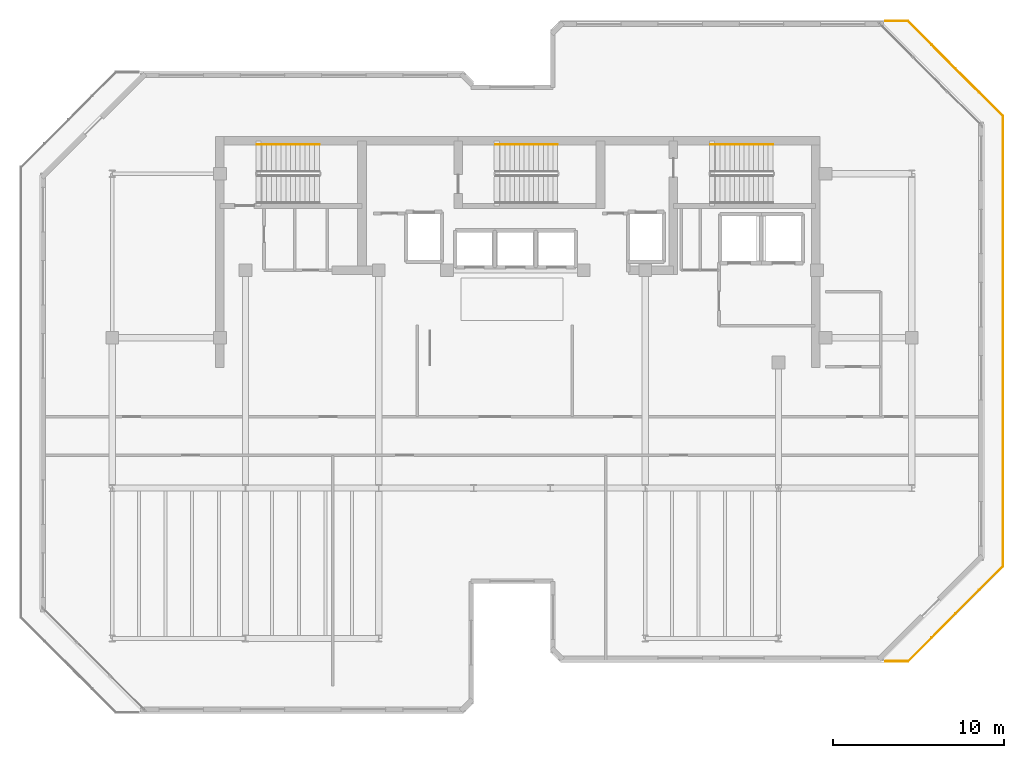
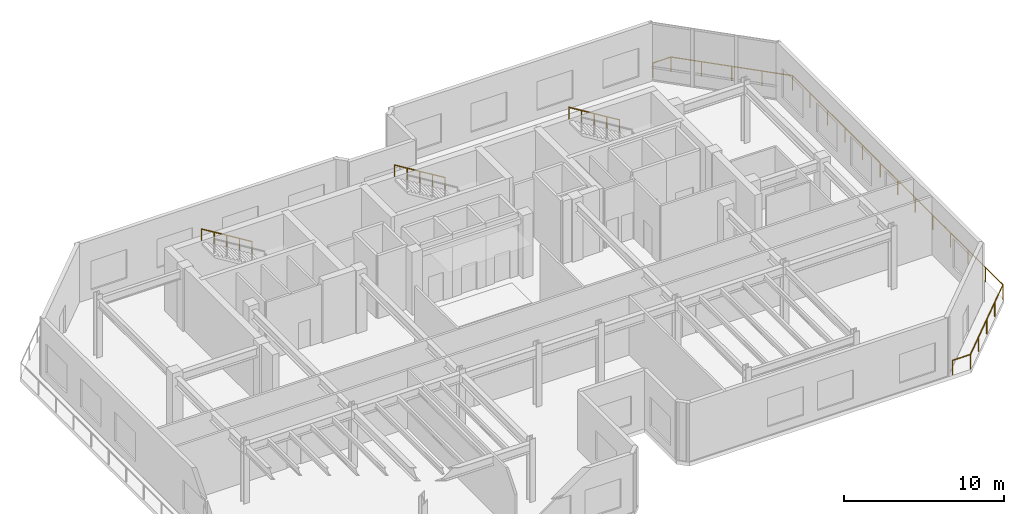
# One storey, part 12 of 12: 4 railings.
"""IFC4 building model written with IfcOpenShell, lengths in metres."""

from ifc_helpers import new_model, si_unit, direction, frame, origin, origin_2d, place, context, subcontext, project, spatial, circle, extrude, material, type_object, element, save


model = new_model("IFC4")

# Units and contexts
model_context = context("Model", 3, precision=1e-05, world=origin(), true_north=direction((0.0, 1.0)))
body_context = subcontext(model_context, "Body", "Model", "MODEL_VIEW")
ifc_project = project(units=[si_unit("LENGTHUNIT", "METRE"), si_unit("AREAUNIT", "SQUARE_METRE"), si_unit("VOLUMEUNIT", "CUBIC_METRE"), si_unit("PLANEANGLEUNIT", "RADIAN"), si_unit("MASSUNIT", "GRAM", prefix="KILO")], contexts=[model_context])

# Site, building, storey
site_placement = place(None, origin())
site = spatial("IfcSite", under=ifc_project, at=site_placement, CompositionType="ELEMENT")
building_placement = place(site_placement, origin())
building = spatial("IfcBuilding", under=site, at=building_placement, Name="Kestravale Grand Hotel", CompositionType="ELEMENT")
storey_placement = place(building_placement, frame((0.0, 0.0, 306.60009765625)))
storey = spatial("IfcBuildingStorey", under=building, at=storey_placement, Name="L76", CompositionType="ELEMENT", Elevation=306.60009765625)

# Railings
ifc_material_1 = material(Name="Champagne-bronze stainless steel and laminated glass guard", Category="steel")
railing_type_1 = type_object("IfcRailingType", Name="RL-EXT-1100", PredefinedType="GUARDRAIL", material=ifc_material_1)
railing_1_placement = place(storey_placement, frame((60.87109375, 47.340087890625, 0.0)))
element("IfcRailing", 1, at=railing_1_placement, inside=storey, type_object=railing_type_1, Name="L76 outdoor terrace guard 1", PredefinedType="GUARDRAIL", context=body_context, shape_type="SweptSolid", body=[
    extrude(circle(Radius=0.02392578125, at=origin_2d()), frame((0.0, 0.0, 1.09619140625), z_axis=(1.0, 0.0, 0.0), x_axis=(0.0, 1.0, 0.0)), (0.0, 0.0, 1.0), 1.303955078125),
    extrude(circle(Radius=0.02392578125, at=origin_2d()), frame((1.303955078125, 0.0, 1.09619140625), z_axis=(0.707106781187, -0.707106781187, 0.0), x_axis=(0.707106781187, 0.707106781187, 0.0)), (0.0, 0.0, 1.0), 7.8701171875),
    extrude(circle(Radius=0.02392578125, at=origin_2d()), frame((6.868896484375, -5.56494140625, 1.09619140625), z_axis=(0.0, -1.0, 0.0), x_axis=(1.0, 0.0, 0.0)), (0.0, 0.0, 1.0), 26.350341796875),
    extrude(circle(Radius=0.02392578125, at=origin_2d()), frame((6.868896484375, -31.915283203125, 1.09619140625), z_axis=(-0.707122292166, -0.707091269867, 0.0), x_axis=(0.707091269867, -0.707122292166, 0.0)), (0.0, 0.0, 1.0), 7.869873046875),
    extrude(circle(Radius=0.02392578125, at=origin_2d()), frame((1.303955078125, -37.47998046875, 1.09619140625), z_axis=(-1.0, 0.0, 0.0), x_axis=(0.0, -1.0, 0.0)), (0.0, 0.0, 1.0), 1.303955078125),
    extrude(circle(Radius=0.02099609375, at=origin_2d()), origin(), (0.0, 0.0, 1.0), 1.072021484375),
    extrude(circle(Radius=0.02099609375, at=origin_2d()), frame((1.303955078125, 0.0, 0.0)), (0.0, 0.0, 1.0), 1.072021484375),
    extrude(circle(Radius=0.02099609375, at=origin_2d()), frame((2.6953125, -1.39111328125, 0.0)), (0.0, 0.0, 1.0), 1.072021484375),
    extrude(circle(Radius=0.02099609375, at=origin_2d()), frame((4.08642578125, -2.782470703125, 0.0)), (0.0, 0.0, 1.0), 1.072021484375),
    extrude(circle(Radius=0.02099609375, at=origin_2d()), frame((5.4775390625, -4.173828125, 0.0)), (0.0, 0.0, 1.0), 1.072021484375),
    extrude(circle(Radius=0.02099609375, at=origin_2d()), frame((6.868896484375, -5.56494140625, 0.0)), (0.0, 0.0, 1.0), 1.072021484375),
    extrude(circle(Radius=0.02099609375, at=origin_2d()), frame((6.868896484375, -7.7607421875, 0.0)), (0.0, 0.0, 1.0), 1.072021484375),
    extrude(circle(Radius=0.02099609375, at=origin_2d()), frame((6.868896484375, -9.95654296875, 0.0)), (0.0, 0.0, 1.0), 1.072021484375),
    extrude(circle(Radius=0.02099609375, at=origin_2d()), frame((6.868896484375, -12.152587890625, 0.0)), (0.0, 0.0, 1.0), 1.072021484375),
    extrude(circle(Radius=0.02099609375, at=origin_2d()), frame((6.868896484375, -14.348388671875, 0.0)), (0.0, 0.0, 1.0), 1.072021484375),
    extrude(circle(Radius=0.02099609375, at=origin_2d()), frame((6.868896484375, -16.544189453125, 0.0)), (0.0, 0.0, 1.0), 1.072021484375),
    extrude(circle(Radius=0.02099609375, at=origin_2d()), frame((6.868896484375, -18.740234375, 0.0)), (0.0, 0.0, 1.0), 1.072021484375),
    extrude(circle(Radius=0.02099609375, at=origin_2d()), frame((6.868896484375, -20.93603515625, 0.0)), (0.0, 0.0, 1.0), 1.072021484375),
    extrude(circle(Radius=0.02099609375, at=origin_2d()), frame((6.868896484375, -23.1318359375, 0.0)), (0.0, 0.0, 1.0), 1.072021484375),
    extrude(circle(Radius=0.02099609375, at=origin_2d()), frame((6.868896484375, -25.32763671875, 0.0)), (0.0, 0.0, 1.0), 1.072021484375),
    extrude(circle(Radius=0.02099609375, at=origin_2d()), frame((6.868896484375, -27.5234375, 0.0)), (0.0, 0.0, 1.0), 1.072021484375),
    extrude(circle(Radius=0.02099609375, at=origin_2d()), frame((6.868896484375, -29.719482421875, 0.0)), (0.0, 0.0, 1.0), 1.072021484375),
    extrude(circle(Radius=0.02099609375, at=origin_2d()), frame((6.868896484375, -31.915283203125, 0.0)), (0.0, 0.0, 1.0), 1.072021484375),
    extrude(circle(Radius=0.02099609375, at=origin_2d()), frame((5.4775390625, -33.306396484375, 0.0)), (0.0, 0.0, 1.0), 1.072021484375),
    extrude(circle(Radius=0.02099609375, at=origin_2d()), frame((4.08642578125, -34.69775390625, 0.0)), (0.0, 0.0, 1.0), 1.072021484375),
    extrude(circle(Radius=0.02099609375, at=origin_2d()), frame((2.6953125, -36.0888671875, 0.0)), (0.0, 0.0, 1.0), 1.072021484375),
    extrude(circle(Radius=0.02099609375, at=origin_2d()), frame((1.303955078125, -37.47998046875, 0.0)), (0.0, 0.0, 1.0), 1.072021484375),
    extrude(circle(Radius=0.02099609375, at=origin_2d()), frame((0.0, -37.47998046875, 0.0)), (0.0, 0.0, 1.0), 1.072021484375),
])
ifc_material_2 = material(Name="Brushed stainless steel wall handrail", Category="steel")
railing_type_2 = type_object("IfcRailingType", Name="RL-ST-HND900", PredefinedType="HANDRAIL", material=ifc_material_2)
for number, where, name in (
    (2, (27.719970703125, 40.110107421875, 2.5712890625), "L76 ST-1 stair handrail 2"),
    (3, (41.669921875, 40.110107421875, 2.5712890625), "L76 ST-2 stair handrail 2"),
):
    element("IfcRailing", number, at=place(storey_placement, frame(where)), inside=storey, type_object=railing_type_2, Name=name, PredefinedType="HANDRAIL", context=body_context, shape_type="SweptSolid", body=[
        extrude(circle(Radius=0.02392578125, at=origin_2d()), frame((0.0, 0.0, 0.8759765625), z_axis=(-0.852850264322, 0.0, 0.5221555579), x_axis=(0.0, -1.0, 0.0)), (0.0, 0.0, 1.0), 4.267822265625),
        extrude(circle(Radius=0.02099609375, at=origin_2d()), origin(), (0.0, 0.0, 1.0), 0.851806640625),
        extrude(circle(Radius=0.02099609375, at=origin_2d()), frame((-0.909912109375, 0.0, 0.55712890625)), (0.0, 0.0, 1.0), 0.851806640625),
        extrude(circle(Radius=0.02099609375, at=origin_2d()), frame((-1.81982421875, 0.0, 1.1142578125)), (0.0, 0.0, 1.0), 0.851806640625),
        extrude(circle(Radius=0.02099609375, at=origin_2d()), frame((-2.72998046875, 0.0, 1.67138671875)), (0.0, 0.0, 1.0), 0.851806640625),
        extrude(circle(Radius=0.02099609375, at=origin_2d()), frame((-3.639892578125, 0.0, 2.228515625)), (0.0, 0.0, 1.0), 0.851806640625),
    ])
railing_2_placement = place(storey_placement, frame((54.27001953125, 40.110107421875, 2.5712890625)))
element("IfcRailing", 4, at=railing_2_placement, inside=storey, type_object=railing_type_2, Name="L76 ST-3 stair handrail 2", PredefinedType="HANDRAIL", context=body_context, shape_type="SweptSolid", body=[
    extrude(circle(Radius=0.02392578125, at=origin_2d()), frame((0.0, 0.0, 0.8759765625), z_axis=(-0.852865859571, 0.0, 0.52213008492), x_axis=(0.0, -1.0, 0.0)), (0.0, 0.0, 1.0), 4.26806640625),
    extrude(circle(Radius=0.02099609375, at=origin_2d()), origin(), (0.0, 0.0, 1.0), 0.851806640625),
    extrude(circle(Radius=0.02099609375, at=origin_2d()), frame((-0.91015625, 0.0, 0.55712890625)), (0.0, 0.0, 1.0), 0.851806640625),
    extrude(circle(Radius=0.02099609375, at=origin_2d()), frame((-1.820068359375, 0.0, 1.1142578125)), (0.0, 0.0, 1.0), 0.851806640625),
    extrude(circle(Radius=0.02099609375, at=origin_2d()), frame((-2.72998046875, 0.0, 1.67138671875)), (0.0, 0.0, 1.0), 0.851806640625),
    extrude(circle(Radius=0.02099609375, at=origin_2d()), frame((-3.64013671875, 0.0, 2.228515625)), (0.0, 0.0, 1.0), 0.851806640625),
])

save(model, "model.ifc")
